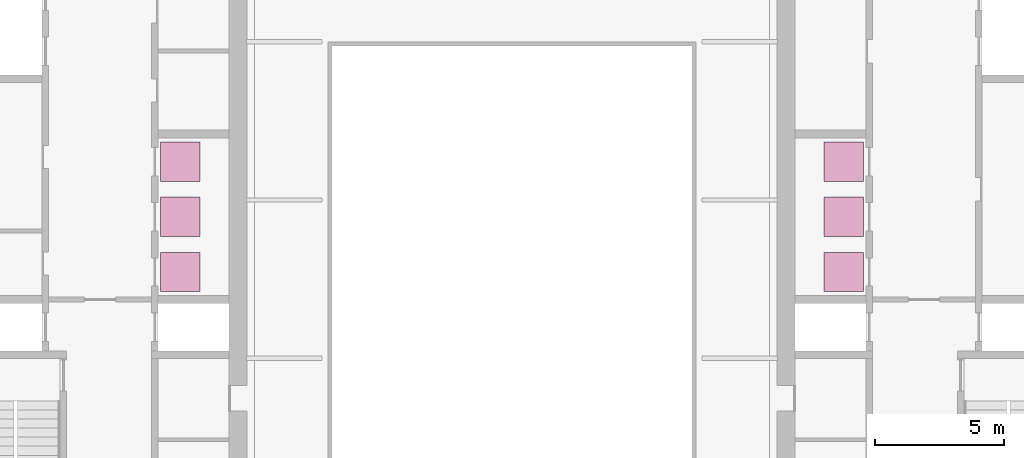
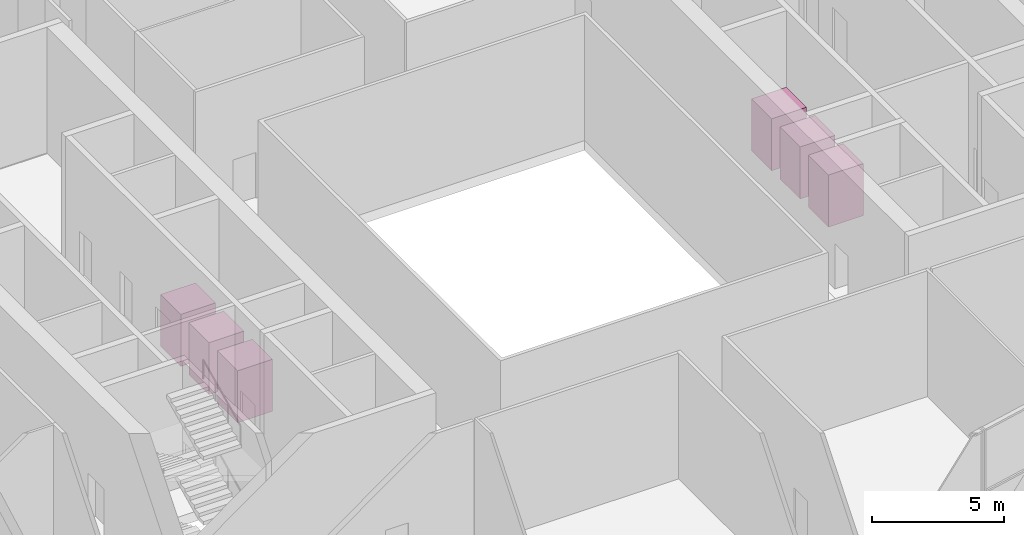
# One storey, part 24 of 24: 6 transport elements.
"""IFC4 building model written with IfcOpenShell, lengths in metres."""

from ifc_helpers import new_model, si_unit, direction, frame, origin, origin_2d, place, context, subcontext, project, spatial, rectangle, extrude, material, type_object, element, save


model = new_model("IFC4")

# Units and contexts
model_context = context("Model", 3, precision=1e-05, world=origin(), true_north=direction((0.0, 1.0)))
body_context = subcontext(model_context, "Body", "Model", "MODEL_VIEW")
ifc_project = project(units=[si_unit("LENGTHUNIT", "METRE"), si_unit("AREAUNIT", "SQUARE_METRE"), si_unit("VOLUMEUNIT", "CUBIC_METRE"), si_unit("PLANEANGLEUNIT", "RADIAN"), si_unit("MASSUNIT", "GRAM", prefix="KILO")], contexts=[model_context])

# Site, building, storey
site_placement = place(None, origin())
site = spatial("IfcSite", under=ifc_project, at=site_placement, CompositionType="ELEMENT")
building_placement = place(site_placement, origin())
building = spatial("IfcBuilding", under=site, at=building_placement, Name="Ogive Exchange Tower", CompositionType="ELEMENT")
storey_placement = place(building_placement, frame((0.0, 0.0, 165.60009765625)))
storey = spatial("IfcBuildingStorey", under=building, at=storey_placement, Name="L36", CompositionType="ELEMENT", Elevation=165.60009765625)

# Transport elements
ifc_material = material(Name="Stainless steel", Category="steel")
transport_element_type = type_object("IfcTransportElementType", Name="Passenger lift 1525 x 1525", PredefinedType="ELEVATOR", material=ifc_material)
for number, where, z_axis, x_axis, name in (
    (1, (-12.887451171875, 7.21435546875, 0.0), (0.0, 0.0, 1.0), (1.0, 0.0, 0.0), "Passenger lift W-M1"),
    (2, (-12.887451171875, 9.357177734375, 0.0), (0.0, 0.0, 1.0), (1.0, 0.0, 0.0), "Passenger lift W-M2"),
    (3, (-12.887451171875, 11.5, 0.0), (0.0, 0.0, 1.0), (1.0, 0.0, 0.0), "Passenger lift W-M3"),
    (4, (12.887451171875, 7.21435546875, 0.0), (0.0, 0.0, 1.0), (1.0, 0.0, 0.0), "Passenger lift E-M1"),
    (5, (12.887451171875, 9.357177734375, 0.0), (0.0, 0.0, 1.0), (1.0, 0.0, 0.0), "Passenger lift E-M2"),
    (6, (12.887451171875, 11.5, 0.0), (0.0, 0.0, 1.0), (1.0, 0.0, 0.0), "Passenger lift E-M3"),
):
    element("IfcTransportElement", number, at=place(storey_placement, frame(where, z_axis=z_axis, x_axis=x_axis)), inside=storey, type_object=transport_element_type, Name=name, PredefinedType="ELEVATOR", context=body_context, shape_type="SweptSolid", body=[
        extrude(rectangle(XDim=1.52490234375, YDim=1.52490234375, at=origin_2d()), origin(), (0.0, 0.0, 1.0), 2.39990234375),
    ])

save(model, "model.ifc")
